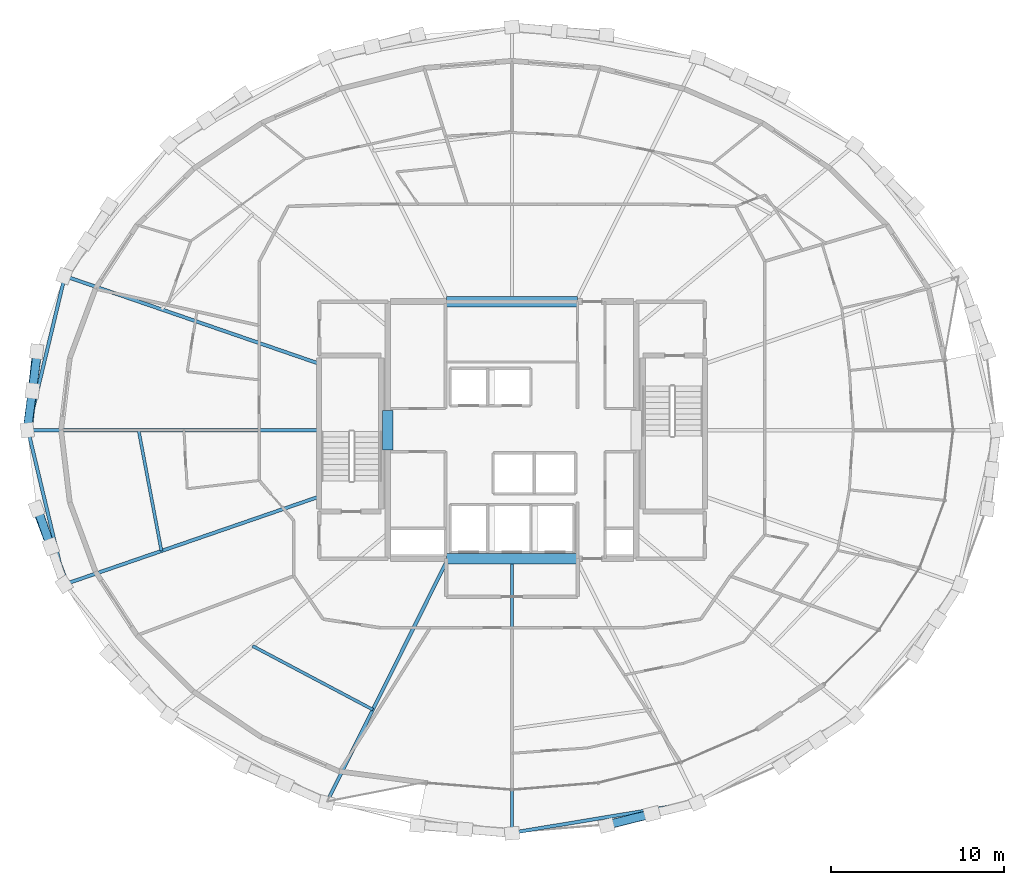
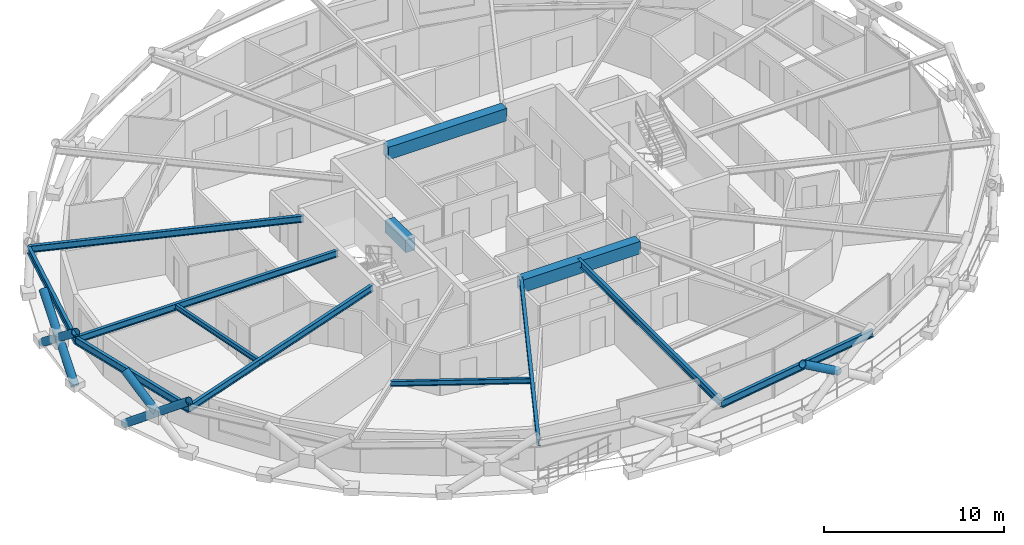
# One storey, part 3 of 19: 13 beams, 6 members.
"""IFC4 building model written with IfcOpenShell, lengths in metres."""

from ifc_helpers import new_model, si_unit, direction, frame, origin, origin_2d, place, context, subcontext, project, spatial, rectangle, hollow_circle, i_section, extrude, material, material_profile, profile_set, type_object, element, save


model = new_model("IFC4")

# Units and contexts
model_context = context("Model", 3, precision=1e-05, world=origin(), true_north=direction((0.0, 1.0)))
body_context = subcontext(model_context, "Body", "Model", "MODEL_VIEW")
ifc_project = project(units=[si_unit("LENGTHUNIT", "METRE"), si_unit("AREAUNIT", "SQUARE_METRE"), si_unit("VOLUMEUNIT", "CUBIC_METRE"), si_unit("PLANEANGLEUNIT", "RADIAN"), si_unit("MASSUNIT", "GRAM", prefix="KILO")], contexts=[model_context])

# Site, building, storey
site_placement = place(None, origin())
site = spatial("IfcSite", under=ifc_project, at=site_placement, CompositionType="ELEMENT")
building_placement = place(site_placement, origin())
building = spatial("IfcBuilding", under=site, at=building_placement, Name="Veldorina Hangang Commons", CompositionType="ELEMENT")
storey_placement = place(building_placement, frame((0.0, 0.0, 167.60009765625)))
storey = spatial("IfcBuildingStorey", under=building, at=storey_placement, Name="L43", CompositionType="ELEMENT", Elevation=167.60009765625)

# Beams
ifc_material_1 = material(Name="Concrete C60/75", Category="concrete")
ifc_material_profile_1 = material_profile(ifc_material_1, rectangle(XDim=0.60009765625, YDim=0.85009765625, at=origin_2d()), Name="RC-CB-600x850")
ifc_profile_set_1 = profile_set([ifc_material_profile_1], Name="Concrete C60/75")
beam_type_1 = type_object("IfcBeamType", Name="BM-CB850", PredefinedType="LINTEL", material=ifc_profile_set_1)
beam_1_placement = place(storey_placement, frame((24.800048828125, 22.85009765625, 2.9248046875), z_axis=(0.0, 1.0, 0.0), x_axis=(-1.0, 0.0, 0.0)))
element("IfcBeam", 1, at=beam_1_placement, inside=storey, type_object=beam_type_1, Name="L43 W core coupling lintel beam", PredefinedType="LINTEL", context=body_context, shape_type="SweptSolid", body=[
    extrude(rectangle(XDim=0.60009765625, YDim=0.85009765625, at=origin_2d()), origin(), (0.0, 0.0, 1.0), 2.2998046875),
])
for number, where, z_axis, x_axis, name in (
    (2, (28.199951171875, 16.550048828125, 2.9248046875), (1.0, 0.0, 0.0), (0.0, 1.0, 0.0), "L43 south core coupling beam"),
    (3, (28.199951171875, 31.449951171875, 2.9248046875), (1.0, 0.0, 0.0), (0.0, 1.0, 0.0), "L43 north core coupling beam"),
):
    element("IfcBeam", number, at=place(storey_placement, frame(where, z_axis=z_axis, x_axis=x_axis)), inside=storey, type_object=beam_type_1, Name=name, PredefinedType="LINTEL", context=body_context, shape_type="SweptSolid", body=[
        extrude(rectangle(XDim=0.60009765625, YDim=0.85009765625, at=origin_2d()), origin(), (0.0, 0.0, 1.0), 7.60009765625),
    ])
ifc_material_2 = material(Name="Steel SM355-TMC", Category="steel")
ifc_material_profile_2 = material_profile(ifc_material_2, i_section(OverallWidth=0.199951171875, OverallDepth=0.449951171875, WebThickness=0.009033203125, FlangeThickness=0.013916015625, FilletRadius=0.01611328125, at=origin_2d()), Name="H-450x200x9x14")
ifc_profile_set_2 = profile_set([ifc_material_profile_2], Name="Steel SM355-TMC")
beam_type_2 = type_object("IfcBeamType", Name="BM-FG450", PredefinedType="BEAM", material=ifc_profile_set_2)
beam_2_placement = place(storey_placement, frame((20.820068359375, 27.852294921875, 3.125), z_axis=(-0.945443357189, 0.325786522661, 0.0), x_axis=(-0.325786522661, -0.945443357189, 0.0)))
element("IfcBeam", 4, at=beam_2_placement, inside=storey, type_object=beam_type_2, Name="L43 radial floor girder 08", PredefinedType="BEAM", context=body_context, shape_type="SweptSolid", body=[
    extrude(i_section(OverallWidth=0.199951171875, OverallDepth=0.449951171875, WebThickness=0.009033203125, FlangeThickness=0.013916015625, FilletRadius=0.01611328125, at=origin_2d()), origin(), (0.0, 0.0, 1.0), 15.589599609375),
])
beam_3_placement = place(storey_placement, frame((20.820068359375, 24.0, 3.125), z_axis=(-1.0, 0.0, 0.0), x_axis=(0.0, -1.0, 0.0)))
element("IfcBeam", 5, at=beam_3_placement, inside=storey, type_object=beam_type_2, Name="L43 radial floor girder 09", PredefinedType="BEAM", context=body_context, shape_type="SweptSolid", body=[
    extrude(i_section(OverallWidth=0.199951171875, OverallDepth=0.449951171875, WebThickness=0.009033203125, FlangeThickness=0.013916015625, FilletRadius=0.01611328125, at=origin_2d()), origin(), (0.0, 0.0, 1.0), 16.87451171875),
])
beam_4_placement = place(storey_placement, frame((20.820068359375, 20.147705078125, 3.125), z_axis=(-0.945443357189, -0.325786522661, 0.0), x_axis=(0.325786522661, -0.945443357189, 0.0)))
element("IfcBeam", 6, at=beam_4_placement, inside=storey, type_object=beam_type_2, Name="L43 radial floor girder 10", PredefinedType="BEAM", context=body_context, shape_type="SweptSolid", body=[
    extrude(i_section(OverallWidth=0.199951171875, OverallDepth=0.449951171875, WebThickness=0.009033203125, FlangeThickness=0.013916015625, FilletRadius=0.01611328125, at=origin_2d()), origin(), (0.0, 0.0, 1.0), 15.589599609375),
])
beam_5_placement = place(storey_placement, frame((28.29052734375, 16.550048828125, 3.125), z_axis=(-0.445720011788, -0.895172425342, 0.0), x_axis=(0.895172425342, -0.445720011788, 0.0)))
element("IfcBeam", 7, at=beam_5_placement, inside=storey, type_object=beam_type_2, Name="L43 radial floor girder 12", PredefinedType="BEAM", context=body_context, shape_type="SweptSolid", body=[
    extrude(i_section(OverallWidth=0.199951171875, OverallDepth=0.449951171875, WebThickness=0.009033203125, FlangeThickness=0.013916015625, FilletRadius=0.01611328125, at=origin_2d()), origin(), (0.0, 0.0, 1.0), 15.76416015625),
])
beam_6_placement = place(storey_placement, frame((32.0, 16.550048828125, 3.125), z_axis=(0.0, -1.0, 0.0), x_axis=(1.0, 0.0, 0.0)))
element("IfcBeam", 8, at=beam_6_placement, inside=storey, type_object=beam_type_2, Name="L43 radial floor girder 13", PredefinedType="BEAM", context=body_context, shape_type="SweptSolid", body=[
    extrude(i_section(OverallWidth=0.199951171875, OverallDepth=0.449951171875, WebThickness=0.009033203125, FlangeThickness=0.013916015625, FilletRadius=0.01611328125, at=origin_2d()), origin(), (0.0, 0.0, 1.0), 15.88818359375),
])
ifc_material_profile_3 = material_profile(ifc_material_2, i_section(OverallWidth=0.175048828125, OverallDepth=0.35009765625, WebThickness=0.007080078125, FlangeThickness=0.010986328125, FilletRadius=0.012939453125, at=origin_2d()), Name="H-350x175x7x11")
ifc_profile_set_3 = profile_set([ifc_material_profile_3], Name="Steel SM355-TMC")
beam_type_3 = type_object("IfcBeamType", Name="BM-JST350", PredefinedType="JOIST", material=ifc_profile_set_3)
beam_7_placement = place(storey_placement, frame((10.35791015625, 24.0, 3.1748046875), z_axis=(0.185812991081, -0.982585127277, 0.0), x_axis=(0.982585127277, 0.185812991081, 0.0)))
element("IfcBeam", 9, at=beam_7_placement, inside=storey, type_object=beam_type_3, Name="L43 secondary floor joist 09", PredefinedType="JOIST", context=body_context, shape_type="SweptSolid", body=[
    extrude(i_section(OverallWidth=0.175048828125, OverallDepth=0.35009765625, WebThickness=0.007080078125, FlangeThickness=0.010986328125, FilletRadius=0.012939453125, at=origin_2d()), origin(), (0.0, 0.0, 1.0), 7.125244140625),
])
beam_8_placement = place(storey_placement, frame((16.96484375, 11.4921875, 3.1748046875), z_axis=(0.883693019746, -0.468066925613, 0.0), x_axis=(0.468066925613, 0.883693019746, 0.0)))
element("IfcBeam", 10, at=beam_8_placement, inside=storey, type_object=beam_type_3, Name="L43 secondary floor joist 11", PredefinedType="JOIST", context=body_context, shape_type="SweptSolid", body=[
    extrude(i_section(OverallWidth=0.175048828125, OverallDepth=0.35009765625, WebThickness=0.007080078125, FlangeThickness=0.010986328125, FilletRadius=0.012939453125, at=origin_2d()), origin(), (0.0, 0.0, 1.0), 7.886474609375),
])
ifc_material_3 = material(Name="Steel SM420-TMC", Category="steel")
ifc_material_profile_4 = material_profile(ifc_material_3, i_section(OverallWidth=0.199951171875, OverallDepth=0.5, WebThickness=0.010009765625, FlangeThickness=0.01611328125, FilletRadius=0.01611328125, at=origin_2d()), Name="H-500x200x10x16")
ifc_profile_set_4 = profile_set([ifc_material_profile_4], Name="Steel SM420-TMC")
beam_type_4 = type_object("IfcBeamType", Name="BM-RB500", PredefinedType="BEAM", material=ifc_profile_set_4)
for number, where, z_axis, x_axis, name in (
    (11, (6.0810546875, 32.93115234375, 3.099853515625), (-0.232551345037, -0.972584120743, 0.0), (0.972584120743, -0.232551345037, 0.0), "L43 perimeter hoop ring beam 14"),
    (12, (3.945556640625, 24.0, 3.099853515625), (0.232551345037, -0.972584120743, 0.0), (0.972584120743, 0.232551345037, 0.0), "L43 perimeter hoop ring beam 16"),
):
    element("IfcBeam", number, at=place(storey_placement, frame(where, z_axis=z_axis, x_axis=x_axis)), inside=storey, type_object=beam_type_4, Name=name, PredefinedType="BEAM", context=body_context, shape_type="SweptSolid", body=[
        extrude(i_section(OverallWidth=0.199951171875, OverallDepth=0.5, WebThickness=0.010009765625, FlangeThickness=0.01611328125, FilletRadius=0.01611328125, at=origin_2d()), origin(), (0.0, 0.0, 1.0), 9.182861328125),
    ])
beam_9_placement = place(storey_placement, frame((32.0, 0.661865234375, 3.099853515625), z_axis=(0.98658245726, 0.163263759073, 0.0), x_axis=(-0.163263759073, 0.98658245726, 0.0)))
element("IfcBeam", 13, at=beam_9_placement, inside=storey, type_object=beam_type_4, Name="L43 perimeter hoop ring beam 24", PredefinedType="BEAM", context=body_context, shape_type="SweptSolid", body=[
    extrude(i_section(OverallWidth=0.199951171875, OverallDepth=0.5, WebThickness=0.010009765625, FlangeThickness=0.01611328125, FilletRadius=0.01611328125, at=origin_2d()), origin(), (0.0, 0.0, 1.0), 10.8818359375),
])

# Members
ifc_material_profile_5 = material_profile(ifc_material_3, hollow_circle(Radius=0.25, WallThickness=0.02490234375, at=origin_2d()), Name="CHS-500x25")
ifc_profile_set_5 = profile_set([ifc_material_profile_5], Name="Steel SM420-TMC")
member_type = type_object("IfcMemberType", Name="DG-CHS500", PredefinedType="BRACE", material=ifc_profile_set_5)
member_1_placement = place(storey_placement, frame((4.444580078125, 28.55859375, 0.0), z_axis=(-0.084473430747, -0.781996975168, 0.617531351695), x_axis=(0.99421611705, -0.1073979171, 0.0)))
element("IfcMember", 14, at=member_1_placement, inside=storey, type_object=member_type, Name="L43 continuous perimeter diagrid brace 15", PredefinedType="BRACE", context=body_context, shape_type="SweptSolid", body=[
    extrude(hollow_circle(Radius=0.25, WallThickness=0.02490234375, at=origin_2d()), origin(), (0.0, 0.0, 1.0), 5.829345703125),
])
member_2_placement = place(storey_placement, frame((3.90478515625, 24.0, 0.0), z_axis=(0.100547960519, 0.780375976437, 0.617173754331), x_axis=(-0.991801354285, 0.12778917653, 0.0)))
element("IfcMember", 15, at=member_2_placement, inside=storey, type_object=member_type, Name="L43 split perimeter diagrid lower brace 16", PredefinedType="BRACE", context=body_context, shape_type="SweptSolid", body=[
    extrude(hollow_circle(Radius=0.25, WallThickness=0.02490234375, at=origin_2d()), origin(), (0.0, 0.0, 1.0), 2.91845703125),
])
member_3_placement = place(storey_placement, frame((4.1982421875, 26.277587890625, 1.80126953125), z_axis=(0.100524745759, 0.780407109573, 0.617138168337), x_axis=(-0.991805739109, 0.127755140289, 0.0)))
element("IfcMember", 16, at=member_3_placement, inside=storey, type_object=member_type, Name="L43 split perimeter diagrid upper brace 16", PredefinedType="BRACE", context=body_context, shape_type="SweptSolid", body=[
    extrude(hollow_circle(Radius=0.25, WallThickness=0.02490234375, at=origin_2d()), origin(), (0.0, 0.0, 1.0), 2.914306640625),
])
member_4_placement = place(storey_placement, frame((4.444580078125, 19.44140625, 0.0), z_axis=(0.278606436936, -0.741321705415, 0.610590355622), x_axis=(0.936075368208, 0.351799523925, 0.0)))
element("IfcMember", 17, at=member_4_placement, inside=storey, type_object=member_type, Name="L43 continuous perimeter diagrid brace 17", PredefinedType="BRACE", context=body_context, shape_type="SweptSolid", body=[
    extrude(hollow_circle(Radius=0.25, WallThickness=0.02490234375, at=origin_2d()), origin(), (0.0, 0.0, 1.0), 5.895751953125),
])
member_5_placement = place(storey_placement, frame((5.2666015625, 17.25439453125, 1.80126953125), z_axis=(-0.263670727845, 0.745932458968, 0.611606502529), x_axis=(-0.942831372342, -0.333270165672, 0.0)))
element("IfcMember", 18, at=member_5_placement, inside=storey, type_object=member_type, Name="L43 split perimeter diagrid upper brace 18", PredefinedType="BRACE", context=body_context, shape_type="SweptSolid", body=[
    extrude(hollow_circle(Radius=0.25, WallThickness=0.02490234375, at=origin_2d()), origin(), (0.0, 0.0, 1.0), 2.940673828125),
])
member_6_placement = place(storey_placement, frame((40.109619140625, 1.76318359375, 1.801513671875), z_axis=(-0.80970600197, -0.199053974568, 0.552045021336), x_axis=(0.238726984521, -0.971086724686, 0.0)))
element("IfcMember", 19, at=member_6_placement, inside=storey, type_object=member_type, Name="L43 split perimeter diagrid upper brace 26", PredefinedType="BRACE", context=body_context, shape_type="SweptSolid", body=[
    extrude(hollow_circle(Radius=0.25, WallThickness=0.02490234375, at=origin_2d()), origin(), (0.0, 0.0, 1.0), 3.257568359375),
])

save(model, "model.ifc")
